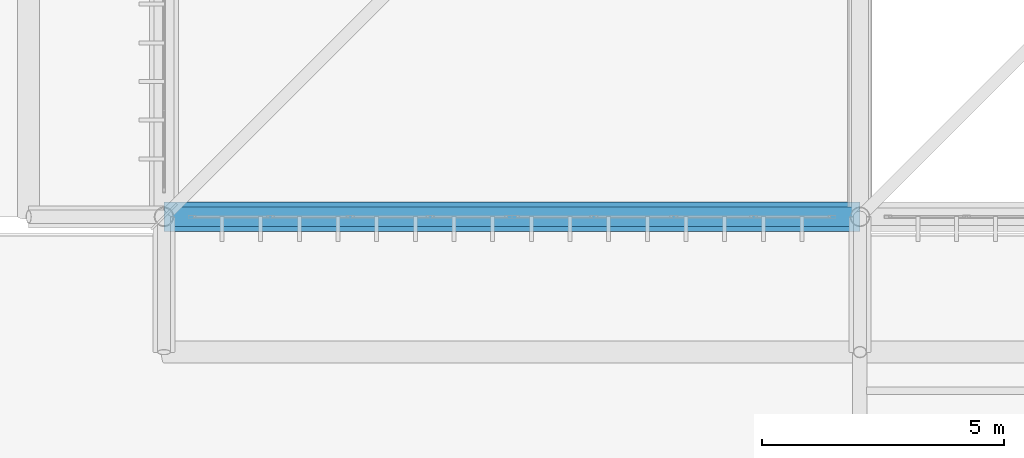
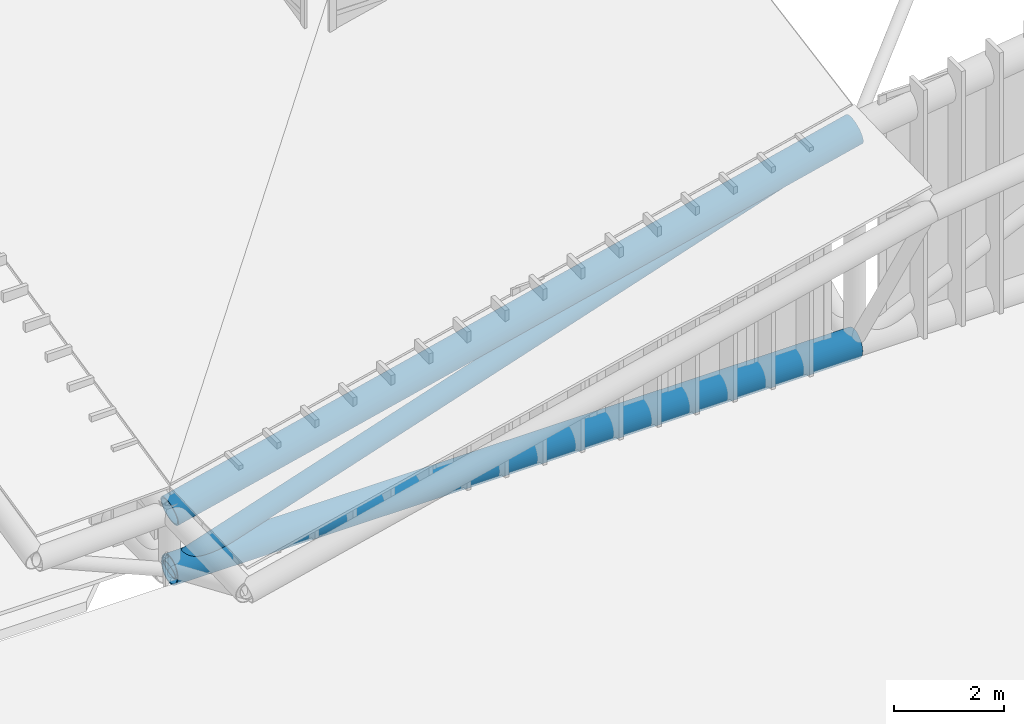
# One storey, part 4 of 397: 2 beams, 1 member.
"""IFC4 building model written with IfcOpenShell, lengths in metres."""

from ifc_helpers import new_model, si_unit, direction, frame, origin, origin_2d, place, context, subcontext, project, spatial, hollow_circle, extrude, material, material_profile, profile_set, type_object, element, save


model = new_model("IFC4")

# Units and contexts
model_context = context("Model", 3, precision=1e-05, world=origin(), true_north=direction((0.0, 1.0)))
body_context = subcontext(model_context, "Body", "Model", "MODEL_VIEW")
ifc_project = project(units=[si_unit("LENGTHUNIT", "METRE"), si_unit("AREAUNIT", "SQUARE_METRE"), si_unit("VOLUMEUNIT", "CUBIC_METRE"), si_unit("PLANEANGLEUNIT", "RADIAN"), si_unit("MASSUNIT", "GRAM", prefix="KILO")], contexts=[model_context])

# Site, building, storey
site_placement = place(None, origin())
site = spatial("IfcSite", under=ifc_project, at=site_placement, CompositionType="ELEMENT")
building_placement = place(site_placement, origin())
building = spatial("IfcBuilding", under=site, at=building_placement, Name="Qandorah Velis Arena", CompositionType="ELEMENT")
storey_placement = place(building_placement, frame((0.0, 0.0, 27.5)))
storey = spatial("IfcBuildingStorey", under=building, at=storey_placement, Name="RF", CompositionType="ELEMENT", Elevation=27.5)

# Beams
ifc_material = material(Name="Steel S460", Category="steel")
ifc_material_profile_1 = material_profile(ifc_material, hollow_circle(Radius=0.304931640625, WallThickness=0.02490234375, at=origin_2d()), Name="CHS 610x25")
ifc_profile_set_1 = profile_set([ifc_material_profile_1], Name="Steel S460")
beam_type_1 = type_object("IfcBeamType", Name="STR-SFC-CHS610X25", PredefinedType="USERDEFINED", material=ifc_profile_set_1)
beam_1_placement = place(storey_placement, frame((14.39990234375, 14.39990234375, 0.10009765625), z_axis=(1.0, 0.0, 0.0), x_axis=(0.0, 1.0, 0.0)))
element("IfcBeam", 1, at=beam_1_placement, inside=storey, type_object=beam_type_1, Name="Space frame roof truss bottom chord X 0.0", ObjectType="ROOF TRUSS", PredefinedType="USERDEFINED", context=body_context, shape_type="SweptSolid", body=[
    extrude(hollow_circle(Radius=0.304931640625, WallThickness=0.02490234375, at=origin_2d()), origin(), (0.0, 0.0, 1.0), 14.400146484375),
])
ifc_material_profile_2 = material_profile(ifc_material, hollow_circle(Radius=0.304931640625, WallThickness=0.031982421875, at=origin_2d()), Name="CHS 610x32")
ifc_profile_set_2 = profile_set([ifc_material_profile_2], Name="Steel S460")
beam_type_2 = type_object("IfcBeamType", Name="STR-SFC-CHS610X32", PredefinedType="USERDEFINED", material=ifc_profile_set_2)
beam_2_placement = place(storey_placement, frame((14.39990234375, 14.39990234375, 1.39990234375), z_axis=(0.97245057016, 0.0, 0.233109177415), x_axis=(0.0, 1.0, 0.0)))
element("IfcBeam", 2, at=beam_2_placement, inside=storey, type_object=beam_type_2, Name="Space frame roof truss top chord X 0.0", ObjectType="ROOF TRUSS", PredefinedType="USERDEFINED", context=body_context, shape_type="SweptSolid", body=[
    extrude(hollow_circle(Radius=0.304931640625, WallThickness=0.031982421875, at=origin_2d()), origin(), (0.0, 0.0, 1.0), 14.80810546875),
])

# Member
ifc_material_profile_3 = material_profile(ifc_material, hollow_circle(Radius=0.203125, WallThickness=0.02001953125, at=origin_2d()), Name="CHS 406.4x20")
ifc_profile_set_3 = profile_set([ifc_material_profile_3], Name="Steel S460")
member_type = type_object("IfcMemberType", Name="STR-SFD-CHS406X20", PredefinedType="STRUT", material=ifc_profile_set_3)
member_placement = place(storey_placement, frame((14.39990234375, 14.39990234375, 0.10009765625), z_axis=(0.949635308767, 0.0, 0.313357272681), x_axis=(0.0, 1.0, 0.0)))
element("IfcMember", 3, at=member_placement, inside=storey, type_object=member_type, Name="Space frame roof diagonal X 0.0", PredefinedType="STRUT", context=body_context, shape_type="SweptSolid", body=[
    extrude(hollow_circle(Radius=0.203125, WallThickness=0.02001953125, at=origin_2d()), origin(), (0.0, 0.0, 1.0), 15.163818359375),
])

save(model, "model.ifc")
